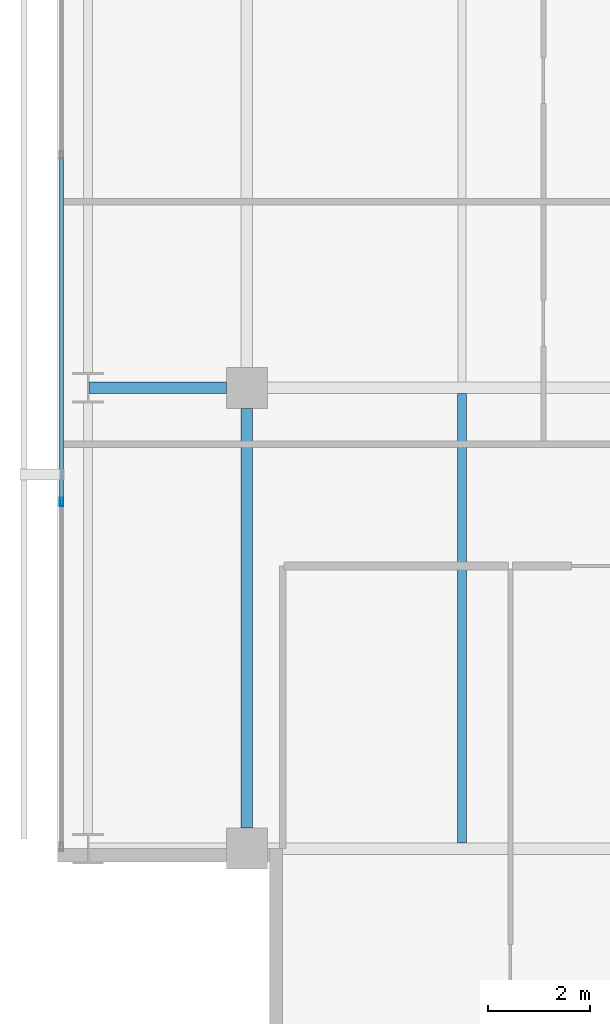
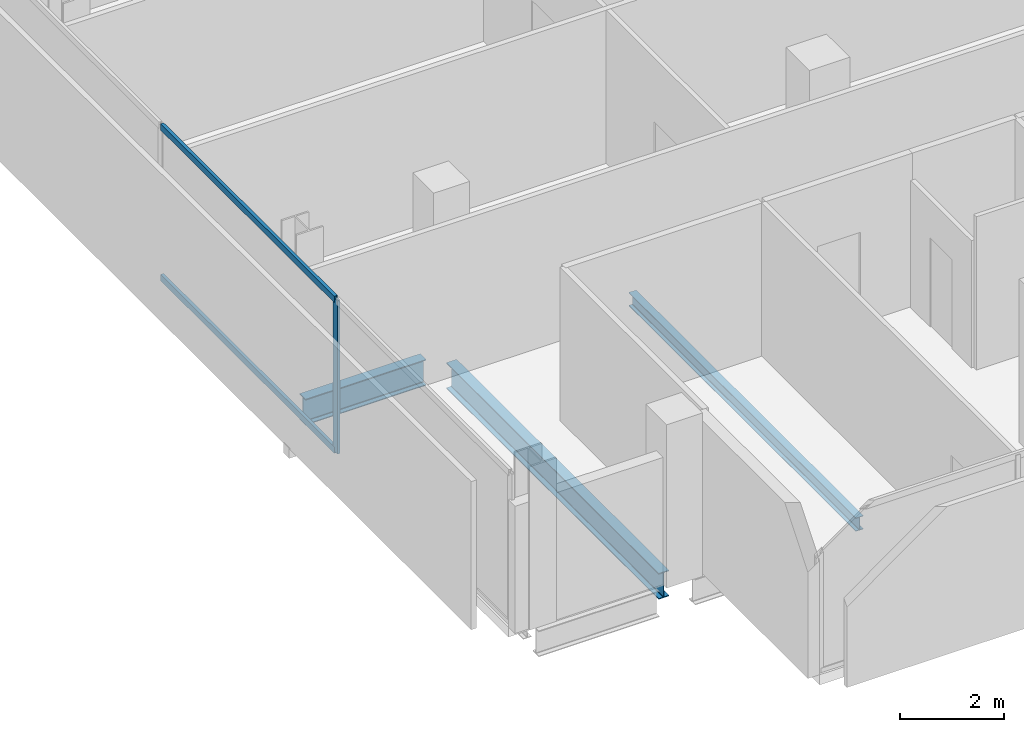
# One storey, part 4 of 33: 3 beams, 3 members, 1 element without a shape of its own.
"""IFC4 building model written with IfcOpenShell, lengths in metres."""

from ifc_helpers import new_model, si_unit, direction, frame, origin, origin_2d, place, context, subcontext, project, spatial, hollow_rectangle, i_section, extrude, material, layer, layer_set, material_profile, profile_set, type_object, element, aggregate, save


model = new_model("IFC4")

# Units and contexts
model_context = context("Model", 3, precision=1e-05, world=origin(), true_north=direction((0.0, 1.0)))
body_context = subcontext(model_context, "Body", "Model", "MODEL_VIEW")
ifc_project = project(units=[si_unit("LENGTHUNIT", "METRE"), si_unit("AREAUNIT", "SQUARE_METRE"), si_unit("VOLUMEUNIT", "CUBIC_METRE"), si_unit("PLANEANGLEUNIT", "RADIAN"), si_unit("MASSUNIT", "GRAM", prefix="KILO")], contexts=[model_context])

# Site, building, storey
site_placement = place(None, origin())
site = spatial("IfcSite", under=ifc_project, at=site_placement, CompositionType="ELEMENT")
building_placement = place(site_placement, origin())
building = spatial("IfcBuilding", under=site, at=building_placement, Name="Maruvema Waterfront Hotel and Observation Tower", CompositionType="ELEMENT")
storey_placement = place(building_placement, frame((0.0, 0.0, 138.949951171875)))
storey = spatial("IfcBuildingStorey", under=building, at=storey_placement, Name="L33", CompositionType="ELEMENT", Elevation=138.949951171875)

# Curtain wall, members
ifc_material_1 = material(Name="Anodised bronze aluminium and solar-control low-E IGU", Category="aluminium")
ifc_layer = layer(ifc_material_1, 0.159912109375, Name="Zone 2 Amber Inner Thermal Curtain Wall System CW-03")
ifc_layer_set = layer_set([ifc_layer], Name="Anodised bronze aluminium and solar-control low-E IGU")
curtain_wall_type = type_object("IfcCurtainWallType", Name="Zone 2 Amber Inner Thermal Curtain Wall System CW-03", PredefinedType="USERDEFINED", material=ifc_layer_set)
curtain_wall_placement = place(storey_placement, origin())
curtain_wall = element("IfcCurtainWall", 1, at=curtain_wall_placement, inside=storey, type_object=curtain_wall_type, Name="L33 Curtain Wall CW-L33-W", ObjectType="UNITISED CURTAIN WALL", PredefinedType="USERDEFINED")
ifc_material_2 = material(Name="Anodised architectural bronze aluminium", Category="aluminium")
ifc_material_profile_1 = material_profile(ifc_material_2, hollow_rectangle(XDim=0.070068359375, YDim=0.14990234375, WallThickness=0.00390625, at=origin_2d()), Name="ALU-T70x150")
ifc_profile_set_1 = profile_set([ifc_material_profile_1], Name="Anodised architectural bronze aluminium")
member_type_1 = type_object("IfcMemberType", Name="Curtain Wall Horizontal Transom ALU-T70x150", PredefinedType="USERDEFINED", material=ifc_profile_set_1)
member_1_placement = place(storey_placement, frame((13.179931640625, 22.50341796875, 0.030029296875), z_axis=(0.0, -1.0, 0.0), x_axis=(1.0, 0.0, 0.0)))
member_1 = element("IfcMember", 2, at=member_1_placement, type_object=member_type_1, Name="CW-03 transom 5.1", ObjectType="TRANSOM", PredefinedType="USERDEFINED", context=body_context, shape_type="SweptSolid", body=[
    extrude(hollow_rectangle(XDim=0.070068359375, YDim=0.14990234375, WallThickness=0.00390625, at=origin_2d()), origin(), (0.0, 0.0, 1.0), 6.706787109375),
])
member_2_placement = place(storey_placement, frame((13.179931640625, 22.50341796875, 3.580078125), z_axis=(0.0, -1.0, 0.0), x_axis=(1.0, 0.0, 0.0)))
member_2 = element("IfcMember", 3, at=member_2_placement, type_object=member_type_1, Name="CW-03 transom 5.2", ObjectType="TRANSOM", PredefinedType="USERDEFINED", context=body_context, shape_type="SweptSolid", body=[
    extrude(hollow_rectangle(XDim=0.070068359375, YDim=0.14990234375, WallThickness=0.00390625, at=origin_2d()), origin(), (0.0, 0.0, 1.0), 6.706787109375),
])
ifc_material_3 = material(Name="Anodised architectural bronze aluminium", Category="aluminium")
ifc_material_profile_2 = material_profile(ifc_material_3, hollow_rectangle(XDim=0.06494140625, YDim=0.1650390625, WallThickness=0.00390625, at=origin_2d()), Name="ALU-M65x165")
ifc_profile_set_2 = profile_set([ifc_material_profile_2], Name="Anodised architectural bronze aluminium")
member_type_2 = type_object("IfcMemberType", Name="Curtain Wall Primary Mullion ALU-M65x165", PredefinedType="MULLION", material=ifc_profile_set_2)
member_3_placement = place(storey_placement, frame((13.179931640625, 15.7666015625, 0.0), z_axis=(0.0, 0.0, 1.0), x_axis=(1.0, 0.0, 0.0)))
member_3 = element("IfcMember", 4, at=member_3_placement, type_object=member_type_2, Name="CW-03 mullion 6", PredefinedType="MULLION", context=body_context, shape_type="SweptSolid", body=[
    extrude(hollow_rectangle(XDim=0.06494140625, YDim=0.1650390625, WallThickness=0.00390625, at=origin_2d()), origin(), (0.0, 0.0, 1.0), 3.610107421875),
])
aggregate(curtain_wall, [member_3, member_1, member_2])

# Beams
ifc_material_4 = material(Name="Steel ASTM A572 Grade 50", Category="steel")
ifc_material_profile_3 = material_profile(ifc_material_4, i_section(OverallWidth=0.22900390625, OverallDepth=0.612060546875, WebThickness=0.011962890625, FlangeThickness=0.01953125, FilletRadius=0.01806640625, at=origin_2d()), Name="W610x125.0")
ifc_profile_set_3 = profile_set([ifc_material_profile_3], Name="Steel ASTM A572 Grade 50")
beam_type_1 = type_object("IfcBeamType", Name="Primary Floor Girder W610x125.0", PredefinedType="BEAM", material=ifc_profile_set_3)
beam_1_placement = place(storey_placement, frame((13.71240234375, 18.0, -0.5458984375), z_axis=(1.0, 0.0, 0.0), x_axis=(0.0, 1.0, 0.0)))
element("IfcBeam", 5, at=beam_1_placement, inside=storey, type_object=beam_type_1, Name="L33 Floor Girder EW-11", PredefinedType="BEAM", context=body_context, shape_type="SweptSolid", body=[
    extrude(i_section(OverallWidth=0.22900390625, OverallDepth=0.612060546875, WebThickness=0.011962890625, FlangeThickness=0.01953125, FilletRadius=0.01806640625, at=origin_2d()), origin(), (0.0, 0.0, 1.0), 2.6875),
])
beam_2_placement = place(storey_placement, frame((16.800048828125, 9.39990234375, -0.5458984375), z_axis=(0.0, 1.0, 0.0), x_axis=(-1.0, 0.0, 0.0)))
element("IfcBeam", 6, at=beam_2_placement, inside=storey, type_object=beam_type_1, Name="L33 Floor Girder NS-05", PredefinedType="BEAM", context=body_context, shape_type="SweptSolid", body=[
    extrude(i_section(OverallWidth=0.22900390625, OverallDepth=0.612060546875, WebThickness=0.011962890625, FlangeThickness=0.01953125, FilletRadius=0.01806640625, at=origin_2d()), origin(), (0.0, 0.0, 1.0), 8.2001953125),
])
ifc_material_5 = material(Name="Steel ASTM A572 Grade 50", Category="steel")
ifc_material_profile_4 = material_profile(ifc_material_5, i_section(OverallWidth=0.1669921875, OverallDepth=0.31689453125, WebThickness=0.007568359375, FlangeThickness=0.01318359375, FilletRadius=0.012939453125, at=origin_2d()), Name="W310x52.0")
ifc_profile_set_4 = profile_set([ifc_material_profile_4], Name="Steel ASTM A572 Grade 50")
beam_type_2 = type_object("IfcBeamType", Name="Secondary Floor Joist W310x52.0", PredefinedType="JOIST", material=ifc_profile_set_4)
beam_3_placement = place(storey_placement, frame((21.0, 9.114501953125, -0.3984375), z_axis=(0.0, 1.0, 0.0), x_axis=(-1.0, 0.0, 0.0)))
element("IfcBeam", 7, at=beam_3_placement, inside=storey, type_object=beam_type_2, Name="L33 Secondary Floor Joist JS-01", PredefinedType="JOIST", context=body_context, shape_type="SweptSolid", body=[
    extrude(i_section(OverallWidth=0.1669921875, OverallDepth=0.31689453125, WebThickness=0.007568359375, FlangeThickness=0.01318359375, FilletRadius=0.012939453125, at=origin_2d()), origin(), (0.0, 0.0, 1.0), 8.77099609375),
])

save(model, "model.ifc")
